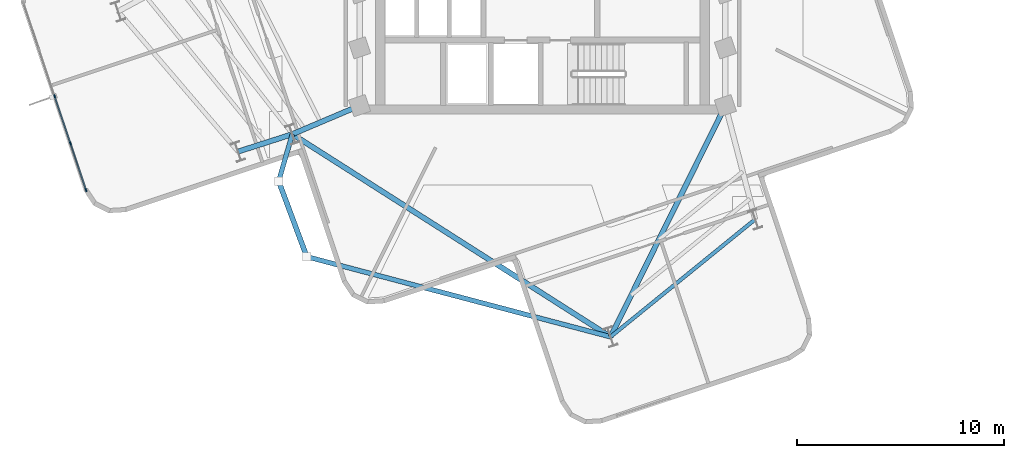
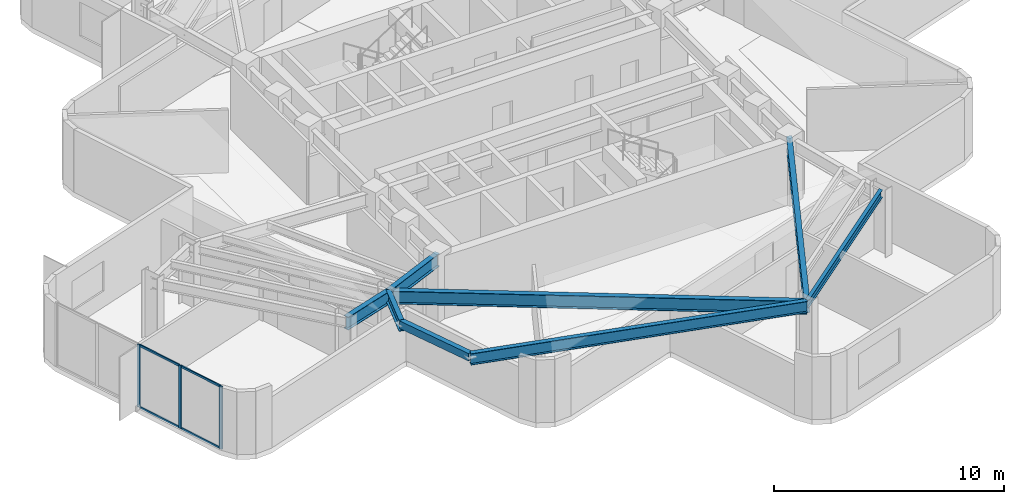
# One storey, part 2 of 12: 8 beams, 7 members, 1 element without a shape of its own.
"""IFC4 building model written with IfcOpenShell, lengths in metres."""

from ifc_helpers import new_model, si_unit, direction, frame, origin, origin_2d, place, context, subcontext, project, spatial, rectangle, hollow_rectangle, i_section, extrude, material, layer, layer_set, material_profile, profile_set, type_object, element, aggregate, save


model = new_model("IFC4")

# Units and contexts
model_context = context("Model", 3, precision=1e-05, world=origin(), true_north=direction((0.0, 1.0)))
body_context = subcontext(model_context, "Body", "Model", "MODEL_VIEW")
ifc_project = project(units=[si_unit("LENGTHUNIT", "METRE"), si_unit("AREAUNIT", "SQUARE_METRE"), si_unit("VOLUMEUNIT", "CUBIC_METRE"), si_unit("PLANEANGLEUNIT", "RADIAN"), si_unit("MASSUNIT", "GRAM", prefix="KILO")], contexts=[model_context])

# Site, building, storey
site_placement = place(None, origin())
site = spatial("IfcSite", under=ifc_project, at=site_placement, CompositionType="ELEMENT")
building_placement = place(site_placement, origin())
building = spatial("IfcBuilding", under=site, at=building_placement, Name="Solmarez Civic Tower", CompositionType="ELEMENT")
storey_placement = place(building_placement, frame((0.0, 0.0, 163.080078125)))
storey = spatial("IfcBuildingStorey", under=building, at=storey_placement, Name="L43", CompositionType="ELEMENT", Elevation=163.080078125)

# Beams
ifc_material_1 = material(Name="Steel S355", Category="steel")
ifc_material_profile_1 = material_profile(ifc_material_1, i_section(OverallWidth=0.178955078125, OverallDepth=0.409912109375, WebThickness=0.0087890625, FlangeThickness=0.014404296875, at=origin_2d()), Name="W16X45")
ifc_profile_set_1 = profile_set([ifc_material_profile_1], Name="Steel S355")
beam_type_1 = type_object("IfcBeamType", Name="BM-JS-W16X45", PredefinedType="JOIST", material=ifc_profile_set_1)
beam_1_placement = place(storey_placement, frame((3.2900390625, -19.535888671875, 3.135009765625), z_axis=(0.776206737012, 0.630478470225, 0.0), x_axis=(-0.630478470225, 0.776206737012, 0.0)))
element("IfcBeam", 1, at=beam_1_placement, inside=storey, type_object=beam_type_1, Name="L43 Secondary Floor Joist BM-L43-SA-T1", PredefinedType="JOIST", context=body_context, shape_type="SweptSolid", body=[
    extrude(i_section(OverallWidth=0.178955078125, OverallDepth=0.409912109375, WebThickness=0.0087890625, FlangeThickness=0.014404296875, at=origin_2d()), origin(), (0.0, 0.0, 1.0), 9.018310546875),
])
ifc_material_profile_2 = material_profile(ifc_material_1, i_section(OverallWidth=0.25390625, OverallDepth=0.68798828125, WebThickness=0.01318359375, FlangeThickness=0.02099609375, at=origin_2d()), Name="W27X102")
ifc_profile_set_2 = profile_set([ifc_material_profile_2], Name="Steel S355")
beam_type_2 = type_object("IfcBeamType", Name="BM-PR-W27X102", PredefinedType="BEAM", material=ifc_profile_set_2)
beam_2_placement = place(storey_placement, frame((-8.85009765625, -8.35009765625, 2.995849609375), z_axis=(-0.920623894701, -0.390450566019, 0.0), x_axis=(0.390450566019, -0.920623894701, 0.0)))
element("IfcBeam", 2, at=beam_2_placement, inside=storey, type_object=beam_type_2, Name="L43 Primary Floor Beam BM-L43-WA-R1B", PredefinedType="BEAM", context=body_context, shape_type="SweptSolid", body=[
    extrude(i_section(OverallWidth=0.25390625, OverallDepth=0.68798828125, WebThickness=0.01318359375, FlangeThickness=0.02099609375, at=origin_2d()), origin(), (0.0, 0.0, 1.0), 3.53662109375),
])
beam_3_placement = place(storey_placement, frame((-12.10595703125, -9.73095703125, 2.995849609375), z_axis=(-0.952208998703, -0.305447250421, 0.0), x_axis=(0.305447250421, -0.952208998703, 0.0)))
element("IfcBeam", 3, at=beam_3_placement, inside=storey, type_object=beam_type_2, Name="L43 Primary Floor Beam BM-L43-WA-R2B", PredefinedType="BEAM", context=body_context, shape_type="SweptSolid", body=[
    extrude(i_section(OverallWidth=0.25390625, OverallDepth=0.68798828125, WebThickness=0.01318359375, FlangeThickness=0.02099609375, at=origin_2d()), origin(), (0.0, 0.0, 1.0), 2.7568359375),
])
beam_4_placement = place(storey_placement, frame((8.85009765625, -8.35009765625, 2.995849609375), z_axis=(-0.44510935737, -0.895476219663, 0.0), x_axis=(0.895476219663, -0.44510935737, 0.0)))
element("IfcBeam", 4, at=beam_4_placement, inside=storey, type_object=beam_type_2, Name="L43 Primary Floor Beam BM-L43-SA-R1A", PredefinedType="BEAM", context=body_context, shape_type="SweptSolid", body=[
    extrude(i_section(OverallWidth=0.25390625, OverallDepth=0.68798828125, WebThickness=0.01318359375, FlangeThickness=0.02099609375, at=origin_2d()), origin(), (0.0, 0.0, 1.0), 12.491455078125),
])
beam_5_placement = place(storey_placement, frame((-12.10595703125, -9.73095703125, 2.995849609375), z_axis=(0.843475834773, -0.537167121251, 0.0), x_axis=(0.537167121251, 0.843475834773, 0.0)))
element("IfcBeam", 5, at=beam_5_placement, inside=storey, type_object=beam_type_2, Name="L43 Primary Floor Beam BM-L43-BALC-SWC", PredefinedType="BEAM", context=body_context, shape_type="SweptSolid", body=[
    extrude(i_section(OverallWidth=0.25390625, OverallDepth=0.68798828125, WebThickness=0.01318359375, FlangeThickness=0.02099609375, at=origin_2d()), origin(), (0.0, 0.0, 1.0), 18.2529296875),
])
ifc_material_profile_3 = material_profile(ifc_material_1, hollow_rectangle(XDim=0.25, YDim=0.39990234375, WallThickness=0.01611328125, at=origin_2d()), Name="HSS400X250X16")
ifc_profile_set_3 = profile_set([ifc_material_profile_3], Name="Steel S355")
beam_type_3 = type_object("IfcBeamType", Name="BM-SP-HSS400X250", PredefinedType="SPANDREL", material=ifc_profile_set_3)
beam_6_placement = place(storey_placement, frame((-12.76708984375, -12.0029296875, 3.139892578125), z_axis=(0.348755451606, -0.937213761623, 0.0), x_axis=(0.937213761623, 0.348755451606, 0.0)))
element("IfcBeam", 6, at=beam_6_placement, inside=storey, type_object=beam_type_3, Name="L43 Perimeter Spandrel Beam BM-L43-BALC-SWE", PredefinedType="SPANDREL", context=body_context, shape_type="SweptSolid", body=[
    extrude(hollow_rectangle(XDim=0.25, YDim=0.39990234375, WallThickness=0.01611328125, at=origin_2d()), origin(), (0.0, 0.0, 1.0), 3.89990234375),
])
ifc_material_profile_4 = material_profile(ifc_material_1, i_section(OverallWidth=0.22900390625, OverallDepth=0.612060546875, WebThickness=0.011962890625, FlangeThickness=0.01953125, at=origin_2d()), Name="W24X84")
ifc_profile_set_4 = profile_set([ifc_material_profile_4], Name="Steel S355")
beam_type_4 = type_object("IfcBeamType", Name="BM-SP-W24X84", PredefinedType="SPANDREL", material=ifc_profile_set_4)
beam_7_placement = place(storey_placement, frame((-12.10595703125, -9.73095703125, 3.033935546875), z_axis=(-0.279405641879, -0.960173154846, 0.0), x_axis=(0.960173154846, -0.279405641879, 0.0)))
element("IfcBeam", 7, at=beam_7_placement, inside=storey, type_object=beam_type_4, Name="L43 Perimeter Spandrel Beam BM-L43-BALC-SW1", PredefinedType="SPANDREL", context=body_context, shape_type="SweptSolid", body=[
    extrude(i_section(OverallWidth=0.22900390625, OverallDepth=0.612060546875, WebThickness=0.011962890625, FlangeThickness=0.01953125, at=origin_2d()), origin(), (0.0, 0.0, 1.0), 2.3662109375),
])
beam_8_placement = place(storey_placement, frame((3.2900390625, -19.535888671875, 3.033935546875), z_axis=(-0.966907677755, 0.255126522923, 0.0), x_axis=(-0.255126522923, -0.966907677755, 0.0)))
element("IfcBeam", 8, at=beam_8_placement, inside=storey, type_object=beam_type_4, Name="L43 Perimeter Spandrel Beam BM-L43-BALC-SW2", PredefinedType="SPANDREL", context=body_context, shape_type="SweptSolid", body=[
    extrude(i_section(OverallWidth=0.22900390625, OverallDepth=0.612060546875, WebThickness=0.011962890625, FlangeThickness=0.01953125, at=origin_2d()), origin(), (0.0, 0.0, 1.0), 15.199951171875),
])

# Curtain wall, members
ifc_material_2 = material(Name="Bronze Anodised Aluminium EN AW-6063 T6", Category="aluminium")
ifc_layer = layer(ifc_material_2, 0.175048828125)
ifc_layer_set = layer_set([ifc_layer], Name="Bronze Anodised Aluminium EN AW-6063 T6")
curtain_wall_type = type_object("IfcCurtainWallType", Name="CW-SYS-3", PredefinedType="NOTDEFINED", material=ifc_layer_set)
curtain_wall_placement = place(storey_placement, origin())
curtain_wall = element("IfcCurtainWall", 9, at=curtain_wall_placement, inside=storey, type_object=curtain_wall_type, Name="L43 Stick-Built Curtain Wall 1", PredefinedType="NOTDEFINED")
ifc_material_profile_5 = material_profile(ifc_material_2, rectangle(XDim=0.06494140625, YDim=0.1650390625, at=origin_2d()), Name="CWM-65X165")
ifc_profile_set_5 = profile_set([ifc_material_profile_5], Name="Bronze Anodised Aluminium EN AW-6063 T6")
member_type_1 = type_object("IfcMemberType", Name="CWM-TYPE-3", PredefinedType="MULLION", material=ifc_profile_set_5)
member_1_placement = place(storey_placement, frame((-22.08740234375, -12.42919921875, 0.0), z_axis=(0.0, 0.0, 1.0), x_axis=(-0.948329355688, -0.317287618953, 0.0)))
member_1 = element("IfcMember", 10, at=member_1_placement, type_object=member_type_1, Name="CWS3 mullion 1", PredefinedType="MULLION", context=body_context, shape_type="SweptSolid", body=[
    extrude(rectangle(XDim=0.06494140625, YDim=0.1650390625, at=origin_2d()), origin(), (0.0, 0.0, 1.0), 3.33984375),
])
member_2_placement = place(storey_placement, frame((-22.84033203125, -10.1787109375, 0.0), z_axis=(0.0, 0.0, 1.0), x_axis=(-0.948329355688, -0.317287618953, 0.0)))
member_2 = element("IfcMember", 11, at=member_2_placement, type_object=member_type_1, Name="CWS3 mullion 2", PredefinedType="MULLION", context=body_context, shape_type="SweptSolid", body=[
    extrude(rectangle(XDim=0.06494140625, YDim=0.1650390625, at=origin_2d()), origin(), (0.0, 0.0, 1.0), 3.33984375),
])
member_3_placement = place(storey_placement, frame((-23.603515625, -7.8974609375, 0.0), z_axis=(0.0, 0.0, 1.0), x_axis=(-0.948329355688, -0.317287618953, 0.0)))
member_3 = element("IfcMember", 12, at=member_3_placement, type_object=member_type_1, Name="CWS3 mullion 3", PredefinedType="MULLION", context=body_context, shape_type="SweptSolid", body=[
    extrude(rectangle(XDim=0.06494140625, YDim=0.1650390625, at=origin_2d()), origin(), (0.0, 0.0, 1.0), 3.33984375),
])
ifc_material_profile_6 = material_profile(ifc_material_2, rectangle(XDim=0.06005859375, YDim=0.110107421875, at=origin_2d()), Name="CWT-60X110")
ifc_profile_set_6 = profile_set([ifc_material_profile_6], Name="Bronze Anodised Aluminium EN AW-6063 T6")
member_type_2 = type_object("IfcMemberType", Name="CWT-TYPE-3", PredefinedType="USERDEFINED", material=ifc_profile_set_6)
member_4_placement = place(storey_placement, frame((-22.09765625, -12.3984375, 0.030029296875), z_axis=(-0.31721127888, 0.948354893777, 0.0), x_axis=(-0.948354893777, -0.31721127888, 0.0)))
member_4 = element("IfcMember", 13, at=member_4_placement, type_object=member_type_2, Name="CWS3 transom 1.1", ObjectType="TRANSOM", PredefinedType="USERDEFINED", context=body_context, shape_type="SweptSolid", body=[
    extrude(rectangle(XDim=0.06005859375, YDim=0.110107421875, at=origin_2d()), origin(), (0.0, 0.0, 1.0), 2.30810546875),
])
member_5_placement = place(storey_placement, frame((-22.09765625, -12.3984375, 3.309814453125), z_axis=(-0.31721127888, 0.948354893777, 0.0), x_axis=(-0.948354893777, -0.31721127888, 0.0)))
member_5 = element("IfcMember", 14, at=member_5_placement, type_object=member_type_2, Name="CWS3 transom 1.2", ObjectType="TRANSOM", PredefinedType="USERDEFINED", context=body_context, shape_type="SweptSolid", body=[
    extrude(rectangle(XDim=0.06005859375, YDim=0.110107421875, at=origin_2d()), origin(), (0.0, 0.0, 1.0), 2.30810546875),
])
member_6_placement = place(storey_placement, frame((-22.8505859375, -10.14794921875, 0.030029296875), z_axis=(-0.317291463593, 0.948328069357, 0.0), x_axis=(-0.948328069357, -0.317291463593, 0.0)))
member_6 = element("IfcMember", 15, at=member_6_placement, type_object=member_type_2, Name="CWS3 transom 2.1", ObjectType="TRANSOM", PredefinedType="USERDEFINED", context=body_context, shape_type="SweptSolid", body=[
    extrude(rectangle(XDim=0.06005859375, YDim=0.110107421875, at=origin_2d()), origin(), (0.0, 0.0, 1.0), 2.340576171875),
])
member_7_placement = place(storey_placement, frame((-22.8505859375, -10.14794921875, 3.309814453125), z_axis=(-0.317291463593, 0.948328069357, 0.0), x_axis=(-0.948328069357, -0.317291463593, 0.0)))
member_7 = element("IfcMember", 16, at=member_7_placement, type_object=member_type_2, Name="CWS3 transom 2.2", ObjectType="TRANSOM", PredefinedType="USERDEFINED", context=body_context, shape_type="SweptSolid", body=[
    extrude(rectangle(XDim=0.06005859375, YDim=0.110107421875, at=origin_2d()), origin(), (0.0, 0.0, 1.0), 2.340576171875),
])
aggregate(curtain_wall, [member_1, member_2, member_3, member_4, member_5, member_6, member_7])

save(model, "model.ifc")
